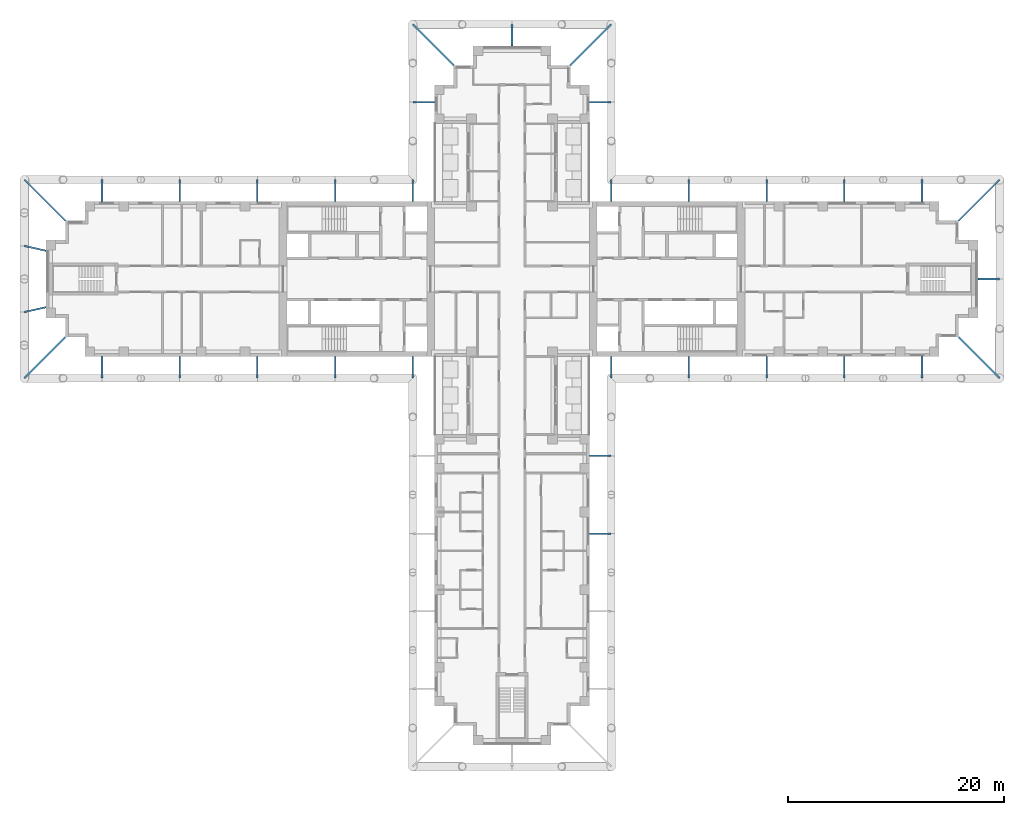
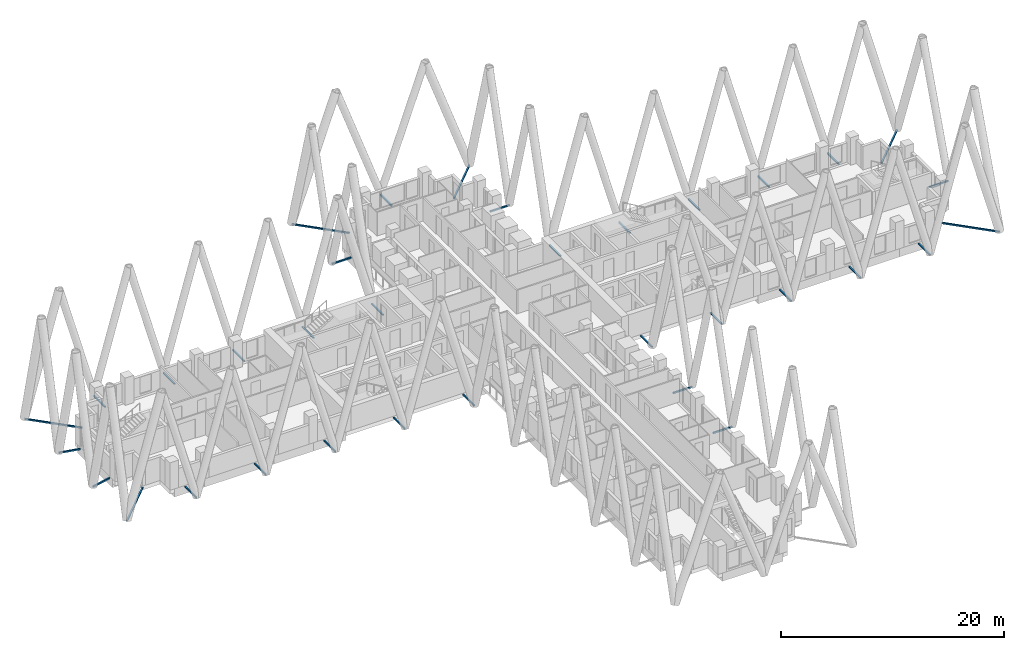
# One storey, part 12 of 14: 34 discrete accessories.
"""IFC4 building model written with IfcOpenShell, lengths in metres."""

from ifc_helpers import new_model, si_unit, direction, frame, origin, origin_2d, place, context, subcontext, project, spatial, hollow_rectangle, extrude, material, element, save


model = new_model("IFC4")

# Units and contexts
model_context = context("Model", 3, precision=1e-05, world=origin(), true_north=direction((0.0, 1.0)))
body_context = subcontext(model_context, "Body", "Model", "MODEL_VIEW")
ifc_project = project(units=[si_unit("LENGTHUNIT", "METRE"), si_unit("AREAUNIT", "SQUARE_METRE"), si_unit("VOLUMEUNIT", "CUBIC_METRE"), si_unit("PLANEANGLEUNIT", "RADIAN"), si_unit("MASSUNIT", "GRAM", prefix="KILO")], contexts=[model_context])

# Site, building, storey
site_placement = place(None, origin())
site = spatial("IfcSite", under=ifc_project, at=site_placement, CompositionType="ELEMENT")
building_placement = place(site_placement, origin())
building = spatial("IfcBuilding", under=site, at=building_placement, Name="Fustian Cross Tower", CompositionType="ELEMENT")
storey_placement = place(building_placement, frame((0.0, 0.0, 102.89990234375)))
storey = spatial("IfcBuildingStorey", under=building, at=storey_placement, Name="L32", CompositionType="ELEMENT", Elevation=102.89990234375)

# Discrete accessories
ifc_material = material(Name="Steel S355", Category="steel")
discrete_accessory_1_placement = place(storey_placement, frame((45.199951171875, 0.0, -0.14990234375), z_axis=(-1.0, 0.0, 0.0), x_axis=(0.0, -1.0, 0.0)))
element("IfcDiscreteAccessory", 1, at=discrete_accessory_1_placement, inside=storey, material=ifc_material, Name="Diagrid node bracket L32-01", PredefinedType="BRACKET", context=body_context, shape_type="SweptSolid", body=[
    extrude(hollow_rectangle(XDim=0.14990234375, YDim=0.14990234375, WallThickness=0.010009765625, at=origin_2d()), origin(), (0.0, 0.0, 1.0), 2.0),
])
discrete_accessory_2_placement = place(storey_placement, frame((45.199951171875, 9.199951171875, -0.14990234375), z_axis=(-0.707106781187, -0.707106781187, 0.0), x_axis=(0.707106781187, -0.707106781187, 0.0)))
element("IfcDiscreteAccessory", 2, at=discrete_accessory_2_placement, inside=storey, material=ifc_material, Name="Diagrid node bracket L32-02", PredefinedType="BRACKET", context=body_context, shape_type="SweptSolid", body=[
    extrude(hollow_rectangle(XDim=0.14990234375, YDim=0.14990234375, WallThickness=0.010009765625, at=origin_2d()), origin(), (0.0, 0.0, 1.0), 5.3740234375),
])
for number, where, z_axis, x_axis, name in (
    (3, (38.0, 9.199951171875, -0.14990234375), (0.0, -1.0, 0.0), (1.0, 0.0, 0.0), "Diagrid node bracket L32-03"),
    (4, (30.800048828125, 9.199951171875, -0.14990234375), (0.0, -1.0, 0.0), (1.0, 0.0, 0.0), "Diagrid node bracket L32-04"),
    (5, (23.60009765625, 9.199951171875, -0.14990234375), (0.0, -1.0, 0.0), (1.0, 0.0, 0.0), "Diagrid node bracket L32-05"),
    (6, (16.39990234375, 9.199951171875, -0.14990234375), (0.0, -1.0, 0.0), (1.0, 0.0, 0.0), "Diagrid node bracket L32-06"),
    (7, (9.199951171875, 9.199951171875, -0.14990234375), (0.0, -1.0, 0.0), (1.0, 0.0, 0.0), "Diagrid node bracket L32-07"),
    (8, (9.199951171875, 16.39990234375, -0.14990234375), (-1.0, 0.0, 0.0), (0.0, -1.0, 0.0), "Diagrid node bracket L32-08"),
):
    element("IfcDiscreteAccessory", number, at=place(storey_placement, frame(where, z_axis=z_axis, x_axis=x_axis)), inside=storey, material=ifc_material, Name=name, PredefinedType="BRACKET", context=body_context, shape_type="SweptSolid", body=[
        extrude(hollow_rectangle(XDim=0.14990234375, YDim=0.14990234375, WallThickness=0.010009765625, at=origin_2d()), origin(), (0.0, 0.0, 1.0), 2.0),
    ])
discrete_accessory_3_placement = place(storey_placement, frame((9.199951171875, 23.60009765625, -0.14990234375), z_axis=(-0.707106781187, -0.707106781187, 0.0), x_axis=(0.707106781187, -0.707106781187, 0.0)))
element("IfcDiscreteAccessory", 9, at=discrete_accessory_3_placement, inside=storey, material=ifc_material, Name="Diagrid node bracket L32-09", PredefinedType="BRACKET", context=body_context, shape_type="SweptSolid", body=[
    extrude(hollow_rectangle(XDim=0.14990234375, YDim=0.14990234375, WallThickness=0.010009765625, at=origin_2d()), origin(), (0.0, 0.0, 1.0), 5.3740234375),
])
discrete_accessory_4_placement = place(storey_placement, frame((0.0, 23.60009765625, -0.14990234375), z_axis=(0.0, -1.0, 0.0), x_axis=(1.0, 0.0, 0.0)))
element("IfcDiscreteAccessory", 10, at=discrete_accessory_4_placement, inside=storey, material=ifc_material, Name="Diagrid node bracket L32-10", PredefinedType="BRACKET", context=body_context, shape_type="SweptSolid", body=[
    extrude(hollow_rectangle(XDim=0.14990234375, YDim=0.14990234375, WallThickness=0.010009765625, at=origin_2d()), origin(), (0.0, 0.0, 1.0), 2.0),
])
discrete_accessory_5_placement = place(storey_placement, frame((-9.199951171875, 23.60009765625, -0.14990234375), z_axis=(0.707106781187, -0.707106781187, 0.0), x_axis=(0.707106781187, 0.707106781187, 0.0)))
element("IfcDiscreteAccessory", 11, at=discrete_accessory_5_placement, inside=storey, material=ifc_material, Name="Diagrid node bracket L32-11", PredefinedType="BRACKET", context=body_context, shape_type="SweptSolid", body=[
    extrude(hollow_rectangle(XDim=0.14990234375, YDim=0.14990234375, WallThickness=0.010009765625, at=origin_2d()), origin(), (0.0, 0.0, 1.0), 5.3740234375),
])
for number, where, z_axis, x_axis, name in (
    (12, (-9.199951171875, 16.39990234375, -0.14990234375), (1.0, 0.0, 0.0), (0.0, 1.0, 0.0), "Diagrid node bracket L32-12"),
    (13, (-9.199951171875, 9.199951171875, -0.14990234375), (0.0, -1.0, 0.0), (1.0, 0.0, 0.0), "Diagrid node bracket L32-13"),
    (14, (-16.39990234375, 9.199951171875, -0.14990234375), (0.0, -1.0, 0.0), (1.0, 0.0, 0.0), "Diagrid node bracket L32-14"),
    (15, (-23.60009765625, 9.199951171875, -0.14990234375), (0.0, -1.0, 0.0), (1.0, 0.0, 0.0), "Diagrid node bracket L32-15"),
    (16, (-30.800048828125, 9.199951171875, -0.14990234375), (0.0, -1.0, 0.0), (1.0, 0.0, 0.0), "Diagrid node bracket L32-16"),
    (17, (-38.0, 9.199951171875, -0.14990234375), (0.0, -1.0, 0.0), (1.0, 0.0, 0.0), "Diagrid node bracket L32-17"),
):
    element("IfcDiscreteAccessory", number, at=place(storey_placement, frame(where, z_axis=z_axis, x_axis=x_axis)), inside=storey, material=ifc_material, Name=name, PredefinedType="BRACKET", context=body_context, shape_type="SweptSolid", body=[
        extrude(hollow_rectangle(XDim=0.14990234375, YDim=0.14990234375, WallThickness=0.010009765625, at=origin_2d()), origin(), (0.0, 0.0, 1.0), 2.0),
    ])
discrete_accessory_6_placement = place(storey_placement, frame((-45.199951171875, 9.199951171875, -0.14990234375), z_axis=(0.707106781187, -0.707106781187, 0.0), x_axis=(0.707106781187, 0.707106781187, 0.0)))
element("IfcDiscreteAccessory", 18, at=discrete_accessory_6_placement, inside=storey, material=ifc_material, Name="Diagrid node bracket L32-18", PredefinedType="BRACKET", context=body_context, shape_type="SweptSolid", body=[
    extrude(hollow_rectangle(XDim=0.14990234375, YDim=0.14990234375, WallThickness=0.010009765625, at=origin_2d()), origin(), (0.0, 0.0, 1.0), 5.3740234375),
])
for number, where, z_axis, x_axis, name in (
    (19, (-45.199951171875, 3.066650390625, -0.14990234375), (0.97561485681, -0.21948952406, 0.0), (0.21948952406, 0.97561485681, 0.0), "Diagrid node bracket L32-19"),
    (20, (-45.199951171875, -3.066650390625, -0.14990234375), (0.97561485681, 0.21948952406, 0.0), (-0.21948952406, 0.97561485681, 0.0), "Diagrid node bracket L32-20"),
):
    element("IfcDiscreteAccessory", number, at=place(storey_placement, frame(where, z_axis=z_axis, x_axis=x_axis)), inside=storey, material=ifc_material, Name=name, PredefinedType="BRACKET", context=body_context, shape_type="SweptSolid", body=[
        extrude(hollow_rectangle(XDim=0.14990234375, YDim=0.14990234375, WallThickness=0.010009765625, at=origin_2d()), origin(), (0.0, 0.0, 1.0), 2.050048828125),
    ])
discrete_accessory_7_placement = place(storey_placement, frame((-45.199951171875, -9.199951171875, -0.14990234375), z_axis=(0.707106781187, 0.707106781187, 0.0), x_axis=(-0.707106781187, 0.707106781187, 0.0)))
element("IfcDiscreteAccessory", 21, at=discrete_accessory_7_placement, inside=storey, material=ifc_material, Name="Diagrid node bracket L32-21", PredefinedType="BRACKET", context=body_context, shape_type="SweptSolid", body=[
    extrude(hollow_rectangle(XDim=0.14990234375, YDim=0.14990234375, WallThickness=0.010009765625, at=origin_2d()), origin(), (0.0, 0.0, 1.0), 5.3740234375),
])
for number, where, z_axis, x_axis, name in (
    (22, (-38.0, -9.199951171875, -0.14990234375), (0.0, 1.0, 0.0), (-1.0, 0.0, 0.0), "Diagrid node bracket L32-22"),
    (23, (-30.800048828125, -9.199951171875, -0.14990234375), (0.0, 1.0, 0.0), (-1.0, 0.0, 0.0), "Diagrid node bracket L32-23"),
    (24, (-23.60009765625, -9.199951171875, -0.14990234375), (0.0, 1.0, 0.0), (-1.0, 0.0, 0.0), "Diagrid node bracket L32-24"),
    (25, (-16.39990234375, -9.199951171875, -0.14990234375), (0.0, 1.0, 0.0), (-1.0, 0.0, 0.0), "Diagrid node bracket L32-25"),
    (26, (-9.199951171875, -9.199951171875, -0.14990234375), (0.0, 1.0, 0.0), (-1.0, 0.0, 0.0), "Diagrid node bracket L32-26"),
    (27, (9.199951171875, -23.60009765625, -0.14990234375), (-1.0, 0.0, 0.0), (0.0, -1.0, 0.0), "Diagrid node bracket L32-36"),
    (28, (9.199951171875, -16.39990234375, -0.14990234375), (-1.0, 0.0, 0.0), (0.0, -1.0, 0.0), "Diagrid node bracket L32-37"),
    (29, (9.199951171875, -9.199951171875, -0.14990234375), (0.0, 1.0, 0.0), (-1.0, 0.0, 0.0), "Diagrid node bracket L32-38"),
    (30, (16.39990234375, -9.199951171875, -0.14990234375), (0.0, 1.0, 0.0), (-1.0, 0.0, 0.0), "Diagrid node bracket L32-39"),
    (31, (23.60009765625, -9.199951171875, -0.14990234375), (0.0, 1.0, 0.0), (-1.0, 0.0, 0.0), "Diagrid node bracket L32-40"),
    (32, (30.800048828125, -9.199951171875, -0.14990234375), (0.0, 1.0, 0.0), (-1.0, 0.0, 0.0), "Diagrid node bracket L32-41"),
    (33, (38.0, -9.199951171875, -0.14990234375), (0.0, 1.0, 0.0), (-1.0, 0.0, 0.0), "Diagrid node bracket L32-42"),
):
    element("IfcDiscreteAccessory", number, at=place(storey_placement, frame(where, z_axis=z_axis, x_axis=x_axis)), inside=storey, material=ifc_material, Name=name, PredefinedType="BRACKET", context=body_context, shape_type="SweptSolid", body=[
        extrude(hollow_rectangle(XDim=0.14990234375, YDim=0.14990234375, WallThickness=0.010009765625, at=origin_2d()), origin(), (0.0, 0.0, 1.0), 2.0),
    ])
discrete_accessory_8_placement = place(storey_placement, frame((45.199951171875, -9.199951171875, -0.14990234375), z_axis=(-0.707106781187, 0.707106781187, 0.0), x_axis=(-0.707106781187, -0.707106781187, 0.0)))
element("IfcDiscreteAccessory", 34, at=discrete_accessory_8_placement, inside=storey, material=ifc_material, Name="Diagrid node bracket L32-43", PredefinedType="BRACKET", context=body_context, shape_type="SweptSolid", body=[
    extrude(hollow_rectangle(XDim=0.14990234375, YDim=0.14990234375, WallThickness=0.010009765625, at=origin_2d()), origin(), (0.0, 0.0, 1.0), 5.3740234375),
])

save(model, "model.ifc")
